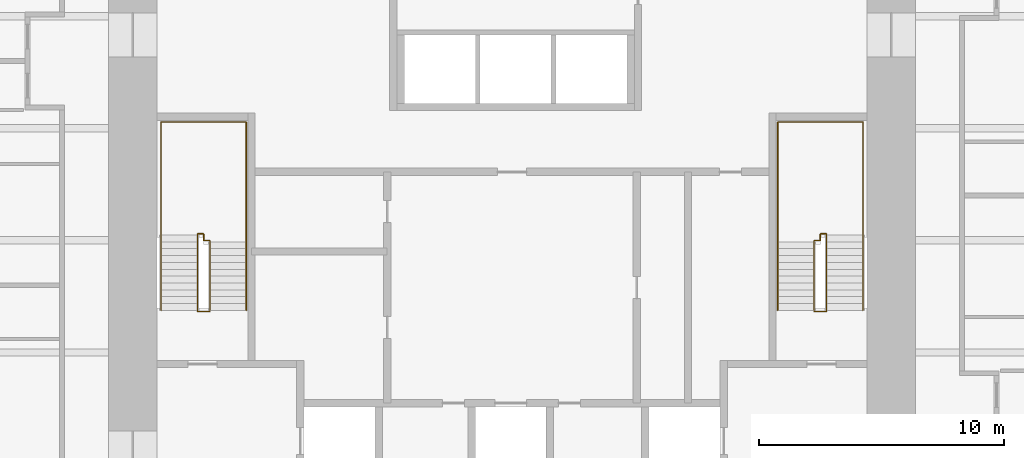
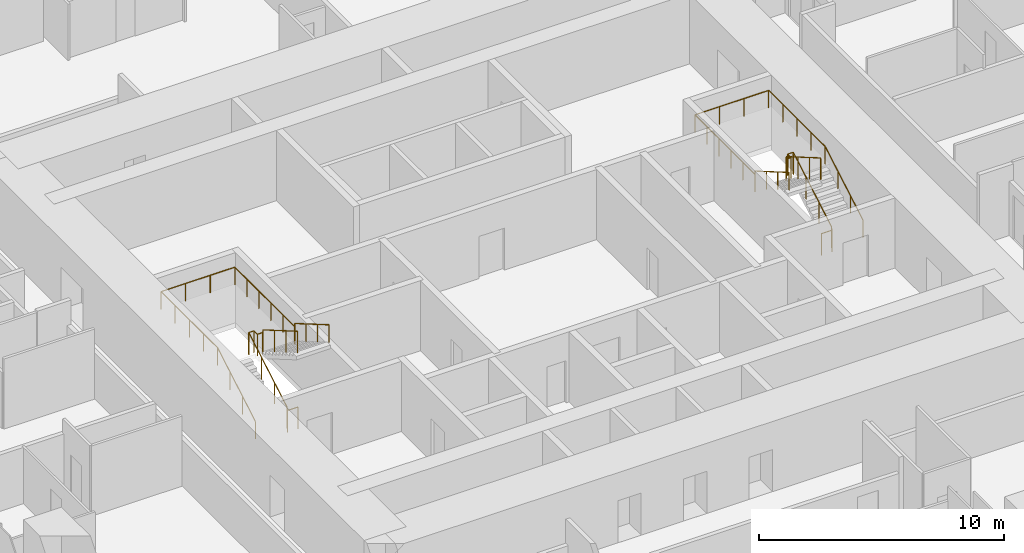
# One storey, part 13 of 13: 4 railings.
"""IFC4 building model written with IfcOpenShell, lengths in metres."""

from ifc_helpers import new_model, si_unit, direction, frame, origin, origin_2d, place, context, subcontext, project, spatial, circle, extrude, material, type_object, element, save


model = new_model("IFC4")

# Units and contexts
model_context = context("Model", 3, precision=1e-05, world=origin(), true_north=direction((0.0, 1.0)))
body_context = subcontext(model_context, "Body", "Model", "MODEL_VIEW")
ifc_project = project(units=[si_unit("LENGTHUNIT", "METRE"), si_unit("AREAUNIT", "SQUARE_METRE"), si_unit("VOLUMEUNIT", "CUBIC_METRE"), si_unit("PLANEANGLEUNIT", "RADIAN"), si_unit("MASSUNIT", "GRAM", prefix="KILO")], contexts=[model_context])

# Site, building, storey
site_placement = place(None, origin())
site = spatial("IfcSite", under=ifc_project, at=site_placement, CompositionType="ELEMENT")
building_placement = place(site_placement, origin())
building = spatial("IfcBuilding", under=site, at=building_placement, Name="Khuree Lantern Residences", CompositionType="ELEMENT")
storey_placement = place(building_placement, frame((0.0, 0.0, 133.5)))
storey = spatial("IfcBuildingStorey", under=building, at=storey_placement, Name="L33", CompositionType="ELEMENT", Elevation=133.5)

# Railings
ifc_material = material(Name="Steel S355", Category="steel")
railing_type_1 = type_object("IfcRailingType", Name="STAIR GUARD G1 1100", PredefinedType="GUARDRAIL", material=ifc_material)
railing_1_placement = place(storey_placement, frame((-12.35009765625, -2.909912109375, 0.0)))
element("IfcRailing", 1, at=railing_1_placement, inside=storey, type_object=railing_type_1, Name="Stair ST1 guard", PredefinedType="GUARDRAIL", context=body_context, shape_type="SweptSolid", body=[
    extrude(circle(Radius=0.02392578125, at=origin_2d()), frame((0.0, 0.0, 1.076171875), z_axis=(-1.0, 0.0, 0.0), x_axis=(0.0, -1.0, 0.0)), (0.0, 0.0, 1.0), 0.5),
    extrude(circle(Radius=0.02392578125, at=origin_2d()), frame((-0.5, 0.0, 1.076171875), z_axis=(0.0, 0.292073035251, 0.95639601739), x_axis=(-1.0, 0.0, 0.0)), (0.0, 0.0, 1.0), 0.17041015625),
    extrude(circle(Radius=0.02392578125, at=origin_2d()), frame((-0.5, 0.0498046875, 1.2392578125), z_axis=(0.0, 0.864176135923, 0.503189433615), x_axis=(-1.0, 0.0, 0.0)), (0.0, 0.0, 1.0), 3.564208984375),
    extrude(circle(Radius=0.02392578125, at=origin_2d()), frame((-0.5, 3.1298828125, 3.03271484375), z_axis=(0.0, 1.0, 0.0), x_axis=(-1.0, 0.0, 0.0)), (0.0, 0.0, 1.0), 0.050048828125),
    extrude(circle(Radius=0.02392578125, at=origin_2d()), frame((-0.5, 3.179931640625, 3.03271484375), z_axis=(1.0, 0.0, 0.0), x_axis=(0.0, 1.0, 0.0)), (0.0, 0.0, 1.0), 0.25),
    extrude(circle(Radius=0.02392578125, at=origin_2d()), frame((-0.25, 3.179931640625, 3.03271484375), z_axis=(0.0, -1.0, 0.0), x_axis=(1.0, 0.0, 0.0)), (0.0, 0.0, 1.0), 0.280029296875),
    extrude(circle(Radius=0.02392578125, at=origin_2d()), frame((-0.25, 2.89990234375, 3.03271484375), z_axis=(1.0, 0.0, 0.0), x_axis=(0.0, 1.0, 0.0)), (0.0, 0.0, 1.0), 0.25),
    extrude(circle(Radius=0.02392578125, at=origin_2d()), frame((0.0, 2.89990234375, 3.03271484375), z_axis=(0.0, -0.293381807449, 0.955995353053), x_axis=(1.0, 0.0, 0.0)), (0.0, 0.0, 1.0), 0.170654296875),
    extrude(circle(Radius=0.02392578125, at=origin_2d()), frame((0.0, 2.849853515625, 3.19580078125), z_axis=(0.0, -0.864180358799, 0.503182181189), x_axis=(1.0, 0.0, 0.0)), (0.0, 0.0, 1.0), 3.240234375),
    extrude(circle(Radius=0.02099609375, at=origin_2d()), origin(), (0.0, 0.0, 1.0), 1.052001953125),
    extrude(circle(Radius=0.02099609375, at=origin_2d()), frame((-0.5, 0.0, 0.0)), (0.0, 0.0, 1.0), 1.052001953125),
    extrude(circle(Radius=0.02099609375, at=origin_2d()), frame((-0.5, 0.0498046875, 0.1630859375)), (0.0, 0.0, 1.0), 1.052001953125),
    extrude(circle(Radius=0.02099609375, at=origin_2d()), frame((-0.5, 1.076416015625, 0.760986328125)), (0.0, 0.0, 1.0), 1.052001953125),
    extrude(circle(Radius=0.02099609375, at=origin_2d()), frame((-0.5, 2.103271484375, 1.358642578125)), (0.0, 0.0, 1.0), 1.052001953125),
    extrude(circle(Radius=0.02099609375, at=origin_2d()), frame((-0.5, 3.1298828125, 1.95654296875)), (0.0, 0.0, 1.0), 1.052001953125),
    extrude(circle(Radius=0.02099609375, at=origin_2d()), frame((-0.5, 3.179931640625, 1.95654296875)), (0.0, 0.0, 1.0), 1.052001953125),
    extrude(circle(Radius=0.02099609375, at=origin_2d()), frame((-0.25, 3.179931640625, 1.95654296875)), (0.0, 0.0, 1.0), 1.052001953125),
    extrude(circle(Radius=0.02099609375, at=origin_2d()), frame((-0.25, 2.89990234375, 1.95654296875)), (0.0, 0.0, 1.0), 1.052001953125),
    extrude(circle(Radius=0.02099609375, at=origin_2d()), frame((0.0, 2.89990234375, 1.95654296875)), (0.0, 0.0, 1.0), 1.052001953125),
    extrude(circle(Radius=0.02099609375, at=origin_2d()), frame((0.0, 2.849853515625, 2.11962890625)), (0.0, 0.0, 1.0), 1.052001953125),
    extrude(circle(Radius=0.02099609375, at=origin_2d()), frame((0.0, 1.91650390625, 2.6630859375)), (0.0, 0.0, 1.0), 1.052001953125),
    extrude(circle(Radius=0.02099609375, at=origin_2d()), frame((0.0, 0.983154296875, 3.20654296875)), (0.0, 0.0, 1.0), 1.052001953125),
    extrude(circle(Radius=0.02099609375, at=origin_2d()), frame((0.0, 0.0498046875, 3.75)), (0.0, 0.0, 1.0), 1.052001953125),
])
railing_2_placement = place(storey_placement, frame((12.35009765625, -2.909912109375, 0.0)))
element("IfcRailing", 2, at=railing_2_placement, inside=storey, type_object=railing_type_1, Name="Stair ST2 guard", PredefinedType="GUARDRAIL", context=body_context, shape_type="SweptSolid", body=[
    extrude(circle(Radius=0.02392578125, at=origin_2d()), frame((0.0, 0.0, 1.076171875), z_axis=(1.0, 0.0, 0.0), x_axis=(0.0, 1.0, 0.0)), (0.0, 0.0, 1.0), 0.5),
    extrude(circle(Radius=0.02392578125, at=origin_2d()), frame((0.5, 0.0, 1.076171875), z_axis=(0.0, 0.292073035251, 0.95639601739), x_axis=(-1.0, 0.0, 0.0)), (0.0, 0.0, 1.0), 0.17041015625),
    extrude(circle(Radius=0.02392578125, at=origin_2d()), frame((0.5, 0.0498046875, 1.2392578125), z_axis=(0.0, 0.864176135923, 0.503189433615), x_axis=(-1.0, 0.0, 0.0)), (0.0, 0.0, 1.0), 3.564208984375),
    extrude(circle(Radius=0.02392578125, at=origin_2d()), frame((0.5, 3.1298828125, 3.03271484375), z_axis=(0.0, 1.0, 0.0), x_axis=(-1.0, 0.0, 0.0)), (0.0, 0.0, 1.0), 0.050048828125),
    extrude(circle(Radius=0.02392578125, at=origin_2d()), frame((0.5, 3.179931640625, 3.03271484375), z_axis=(-1.0, 0.0, 0.0), x_axis=(0.0, -1.0, 0.0)), (0.0, 0.0, 1.0), 0.25),
    extrude(circle(Radius=0.02392578125, at=origin_2d()), frame((0.25, 3.179931640625, 3.03271484375), z_axis=(0.0, -1.0, 0.0), x_axis=(1.0, 0.0, 0.0)), (0.0, 0.0, 1.0), 0.280029296875),
    extrude(circle(Radius=0.02392578125, at=origin_2d()), frame((0.25, 2.89990234375, 3.03271484375), z_axis=(-1.0, 0.0, 0.0), x_axis=(0.0, -1.0, 0.0)), (0.0, 0.0, 1.0), 0.25),
    extrude(circle(Radius=0.02392578125, at=origin_2d()), frame((0.0, 2.89990234375, 3.03271484375), z_axis=(0.0, -0.293381807449, 0.955995353053), x_axis=(1.0, 0.0, 0.0)), (0.0, 0.0, 1.0), 0.170654296875),
    extrude(circle(Radius=0.02392578125, at=origin_2d()), frame((0.0, 2.849853515625, 3.19580078125), z_axis=(0.0, -0.864180358799, 0.503182181189), x_axis=(1.0, 0.0, 0.0)), (0.0, 0.0, 1.0), 3.240234375),
    extrude(circle(Radius=0.02099609375, at=origin_2d()), origin(), (0.0, 0.0, 1.0), 1.052001953125),
    extrude(circle(Radius=0.02099609375, at=origin_2d()), frame((0.5, 0.0, 0.0)), (0.0, 0.0, 1.0), 1.052001953125),
    extrude(circle(Radius=0.02099609375, at=origin_2d()), frame((0.5, 0.0498046875, 0.1630859375)), (0.0, 0.0, 1.0), 1.052001953125),
    extrude(circle(Radius=0.02099609375, at=origin_2d()), frame((0.5, 1.076416015625, 0.760986328125)), (0.0, 0.0, 1.0), 1.052001953125),
    extrude(circle(Radius=0.02099609375, at=origin_2d()), frame((0.5, 2.103271484375, 1.358642578125)), (0.0, 0.0, 1.0), 1.052001953125),
    extrude(circle(Radius=0.02099609375, at=origin_2d()), frame((0.5, 3.1298828125, 1.95654296875)), (0.0, 0.0, 1.0), 1.052001953125),
    extrude(circle(Radius=0.02099609375, at=origin_2d()), frame((0.5, 3.179931640625, 1.95654296875)), (0.0, 0.0, 1.0), 1.052001953125),
    extrude(circle(Radius=0.02099609375, at=origin_2d()), frame((0.25, 3.179931640625, 1.95654296875)), (0.0, 0.0, 1.0), 1.052001953125),
    extrude(circle(Radius=0.02099609375, at=origin_2d()), frame((0.25, 2.89990234375, 1.95654296875)), (0.0, 0.0, 1.0), 1.052001953125),
    extrude(circle(Radius=0.02099609375, at=origin_2d()), frame((0.0, 2.89990234375, 1.95654296875)), (0.0, 0.0, 1.0), 1.052001953125),
    extrude(circle(Radius=0.02099609375, at=origin_2d()), frame((0.0, 2.849853515625, 2.11962890625)), (0.0, 0.0, 1.0), 1.052001953125),
    extrude(circle(Radius=0.02099609375, at=origin_2d()), frame((0.0, 1.91650390625, 2.6630859375)), (0.0, 0.0, 1.0), 1.052001953125),
    extrude(circle(Radius=0.02099609375, at=origin_2d()), frame((0.0, 0.983154296875, 3.20654296875)), (0.0, 0.0, 1.0), 1.052001953125),
    extrude(circle(Radius=0.02099609375, at=origin_2d()), frame((0.0, 0.0498046875, 3.75)), (0.0, 0.0, 1.0), 1.052001953125),
])
railing_type_2 = type_object("IfcRailingType", Name="STAIR HANDRAIL H1 900", PredefinedType="HANDRAIL", material=ifc_material)
railing_3_placement = place(storey_placement, frame((-14.340087890625, -2.860107421875, 0.1630859375)))
element("IfcRailing", 3, at=railing_3_placement, inside=storey, type_object=railing_type_2, Name="Stair ST1 handrail", PredefinedType="HANDRAIL", context=body_context, shape_type="SweptSolid", body=[
    extrude(circle(Radius=0.02392578125, at=origin_2d()), frame((0.0, 0.0, 0.8759765625), z_axis=(0.0, 0.864176135923, 0.503189433615), x_axis=(-1.0, 0.0, 0.0)), (0.0, 0.0, 1.0), 3.564208984375),
    extrude(circle(Radius=0.02392578125, at=origin_2d()), frame((0.0, 3.080078125, 2.66943359375), z_axis=(0.0, 1.0, 0.0), x_axis=(-1.0, 0.0, 0.0)), (0.0, 0.0, 1.0), 4.6201171875),
    extrude(circle(Radius=0.02392578125, at=origin_2d()), frame((0.0, 7.7001953125, 2.66943359375), z_axis=(1.0, 0.0, 0.0), x_axis=(0.0, 1.0, 0.0)), (0.0, 0.0, 1.0), 3.47998046875),
    extrude(circle(Radius=0.02392578125, at=origin_2d()), frame((3.47998046875, 7.7001953125, 2.66943359375), z_axis=(0.0, -1.0, 0.0), x_axis=(1.0, 0.0, 0.0)), (0.0, 0.0, 1.0), 4.900146484375),
    extrude(circle(Radius=0.02392578125, at=origin_2d()), frame((3.47998046875, 2.800048828125, 2.66943359375), z_axis=(0.0, 0.0, 1.0), x_axis=(1.0, 0.0, 0.0)), (0.0, 0.0, 1.0), 0.1630859375),
    extrude(circle(Radius=0.02392578125, at=origin_2d()), frame((3.47998046875, 2.800048828125, 2.83251953125), z_axis=(0.0, -0.864180358799, 0.503182181189), x_axis=(1.0, 0.0, 0.0)), (0.0, 0.0, 1.0), 3.240234375),
    extrude(circle(Radius=0.02099609375, at=origin_2d()), origin(), (0.0, 0.0, 1.0), 0.851806640625),
    extrude(circle(Radius=0.02099609375, at=origin_2d()), frame((0.0, 1.026611328125, 0.597900390625)), (0.0, 0.0, 1.0), 0.851806640625),
    extrude(circle(Radius=0.02099609375, at=origin_2d()), frame((0.0, 2.053466796875, 1.195556640625)), (0.0, 0.0, 1.0), 0.851806640625),
    extrude(circle(Radius=0.02099609375, at=origin_2d()), frame((0.0, 3.080078125, 1.79345703125)), (0.0, 0.0, 1.0), 0.851806640625),
    extrude(circle(Radius=0.02099609375, at=origin_2d()), frame((0.0, 4.235107421875, 1.79345703125)), (0.0, 0.0, 1.0), 0.851806640625),
    extrude(circle(Radius=0.02099609375, at=origin_2d()), frame((0.0, 5.39013671875, 1.79345703125)), (0.0, 0.0, 1.0), 0.851806640625),
    extrude(circle(Radius=0.02099609375, at=origin_2d()), frame((0.0, 6.545166015625, 1.79345703125)), (0.0, 0.0, 1.0), 0.851806640625),
    extrude(circle(Radius=0.02099609375, at=origin_2d()), frame((0.0, 7.7001953125, 1.79345703125)), (0.0, 0.0, 1.0), 0.851806640625),
    extrude(circle(Radius=0.02099609375, at=origin_2d()), frame((1.159912109375, 7.7001953125, 1.79345703125)), (0.0, 0.0, 1.0), 0.851806640625),
    extrude(circle(Radius=0.02099609375, at=origin_2d()), frame((2.320068359375, 7.7001953125, 1.79345703125)), (0.0, 0.0, 1.0), 0.851806640625),
    extrude(circle(Radius=0.02099609375, at=origin_2d()), frame((3.47998046875, 7.7001953125, 1.79345703125)), (0.0, 0.0, 1.0), 0.851806640625),
    extrude(circle(Radius=0.02099609375, at=origin_2d()), frame((3.47998046875, 6.72021484375, 1.79345703125)), (0.0, 0.0, 1.0), 0.851806640625),
    extrude(circle(Radius=0.02099609375, at=origin_2d()), frame((3.47998046875, 5.740234375, 1.79345703125)), (0.0, 0.0, 1.0), 0.851806640625),
    extrude(circle(Radius=0.02099609375, at=origin_2d()), frame((3.47998046875, 4.760009765625, 1.79345703125)), (0.0, 0.0, 1.0), 0.851806640625),
    extrude(circle(Radius=0.02099609375, at=origin_2d()), frame((3.47998046875, 3.780029296875, 1.79345703125)), (0.0, 0.0, 1.0), 0.851806640625),
    extrude(circle(Radius=0.02099609375, at=origin_2d()), frame((3.47998046875, 2.800048828125, 1.79345703125)), (0.0, 0.0, 1.0), 0.851806640625),
    extrude(circle(Radius=0.02099609375, at=origin_2d()), frame((3.47998046875, 2.800048828125, 1.95654296875)), (0.0, 0.0, 1.0), 0.851806640625),
    extrude(circle(Radius=0.02099609375, at=origin_2d()), frame((3.47998046875, 1.86669921875, 2.5)), (0.0, 0.0, 1.0), 0.851806640625),
    extrude(circle(Radius=0.02099609375, at=origin_2d()), frame((3.47998046875, 0.933349609375, 3.04345703125)), (0.0, 0.0, 1.0), 0.851806640625),
    extrude(circle(Radius=0.02099609375, at=origin_2d()), frame((3.47998046875, 0.0, 3.5869140625)), (0.0, 0.0, 1.0), 0.851806640625),
])
railing_4_placement = place(storey_placement, frame((14.340087890625, -2.860107421875, 0.1630859375)))
element("IfcRailing", 4, at=railing_4_placement, inside=storey, type_object=railing_type_2, Name="Stair ST2 handrail", PredefinedType="HANDRAIL", context=body_context, shape_type="SweptSolid", body=[
    extrude(circle(Radius=0.02392578125, at=origin_2d()), frame((0.0, 0.0, 0.8759765625), z_axis=(0.0, 0.864176135923, 0.503189433615), x_axis=(-1.0, 0.0, 0.0)), (0.0, 0.0, 1.0), 3.564208984375),
    extrude(circle(Radius=0.02392578125, at=origin_2d()), frame((0.0, 3.080078125, 2.66943359375), z_axis=(0.0, 1.0, 0.0), x_axis=(-1.0, 0.0, 0.0)), (0.0, 0.0, 1.0), 4.6201171875),
    extrude(circle(Radius=0.02392578125, at=origin_2d()), frame((0.0, 7.7001953125, 2.66943359375), z_axis=(-1.0, 0.0, 0.0), x_axis=(0.0, -1.0, 0.0)), (0.0, 0.0, 1.0), 3.47998046875),
    extrude(circle(Radius=0.02392578125, at=origin_2d()), frame((-3.47998046875, 7.7001953125, 2.66943359375), z_axis=(0.0, -1.0, 0.0), x_axis=(1.0, 0.0, 0.0)), (0.0, 0.0, 1.0), 4.900146484375),
    extrude(circle(Radius=0.02392578125, at=origin_2d()), frame((-3.47998046875, 2.800048828125, 2.66943359375), z_axis=(0.0, 0.0, 1.0), x_axis=(1.0, 0.0, 0.0)), (0.0, 0.0, 1.0), 0.1630859375),
    extrude(circle(Radius=0.02392578125, at=origin_2d()), frame((-3.47998046875, 2.800048828125, 2.83251953125), z_axis=(0.0, -0.864180358799, 0.503182181189), x_axis=(1.0, 0.0, 0.0)), (0.0, 0.0, 1.0), 3.240234375),
    extrude(circle(Radius=0.02099609375, at=origin_2d()), origin(), (0.0, 0.0, 1.0), 0.851806640625),
    extrude(circle(Radius=0.02099609375, at=origin_2d()), frame((0.0, 1.026611328125, 0.597900390625)), (0.0, 0.0, 1.0), 0.851806640625),
    extrude(circle(Radius=0.02099609375, at=origin_2d()), frame((0.0, 2.053466796875, 1.195556640625)), (0.0, 0.0, 1.0), 0.851806640625),
    extrude(circle(Radius=0.02099609375, at=origin_2d()), frame((0.0, 3.080078125, 1.79345703125)), (0.0, 0.0, 1.0), 0.851806640625),
    extrude(circle(Radius=0.02099609375, at=origin_2d()), frame((0.0, 4.235107421875, 1.79345703125)), (0.0, 0.0, 1.0), 0.851806640625),
    extrude(circle(Radius=0.02099609375, at=origin_2d()), frame((0.0, 5.39013671875, 1.79345703125)), (0.0, 0.0, 1.0), 0.851806640625),
    extrude(circle(Radius=0.02099609375, at=origin_2d()), frame((0.0, 6.545166015625, 1.79345703125)), (0.0, 0.0, 1.0), 0.851806640625),
    extrude(circle(Radius=0.02099609375, at=origin_2d()), frame((0.0, 7.7001953125, 1.79345703125)), (0.0, 0.0, 1.0), 0.851806640625),
    extrude(circle(Radius=0.02099609375, at=origin_2d()), frame((-1.159912109375, 7.7001953125, 1.79345703125)), (0.0, 0.0, 1.0), 0.851806640625),
    extrude(circle(Radius=0.02099609375, at=origin_2d()), frame((-2.320068359375, 7.7001953125, 1.79345703125)), (0.0, 0.0, 1.0), 0.851806640625),
    extrude(circle(Radius=0.02099609375, at=origin_2d()), frame((-3.47998046875, 7.7001953125, 1.79345703125)), (0.0, 0.0, 1.0), 0.851806640625),
    extrude(circle(Radius=0.02099609375, at=origin_2d()), frame((-3.47998046875, 6.72021484375, 1.79345703125)), (0.0, 0.0, 1.0), 0.851806640625),
    extrude(circle(Radius=0.02099609375, at=origin_2d()), frame((-3.47998046875, 5.740234375, 1.79345703125)), (0.0, 0.0, 1.0), 0.851806640625),
    extrude(circle(Radius=0.02099609375, at=origin_2d()), frame((-3.47998046875, 4.760009765625, 1.79345703125)), (0.0, 0.0, 1.0), 0.851806640625),
    extrude(circle(Radius=0.02099609375, at=origin_2d()), frame((-3.47998046875, 3.780029296875, 1.79345703125)), (0.0, 0.0, 1.0), 0.851806640625),
    extrude(circle(Radius=0.02099609375, at=origin_2d()), frame((-3.47998046875, 2.800048828125, 1.79345703125)), (0.0, 0.0, 1.0), 0.851806640625),
    extrude(circle(Radius=0.02099609375, at=origin_2d()), frame((-3.47998046875, 2.800048828125, 1.95654296875)), (0.0, 0.0, 1.0), 0.851806640625),
    extrude(circle(Radius=0.02099609375, at=origin_2d()), frame((-3.47998046875, 1.86669921875, 2.5)), (0.0, 0.0, 1.0), 0.851806640625),
    extrude(circle(Radius=0.02099609375, at=origin_2d()), frame((-3.47998046875, 0.933349609375, 3.04345703125)), (0.0, 0.0, 1.0), 0.851806640625),
    extrude(circle(Radius=0.02099609375, at=origin_2d()), frame((-3.47998046875, 0.0, 3.5869140625)), (0.0, 0.0, 1.0), 0.851806640625),
])

save(model, "model.ifc")
